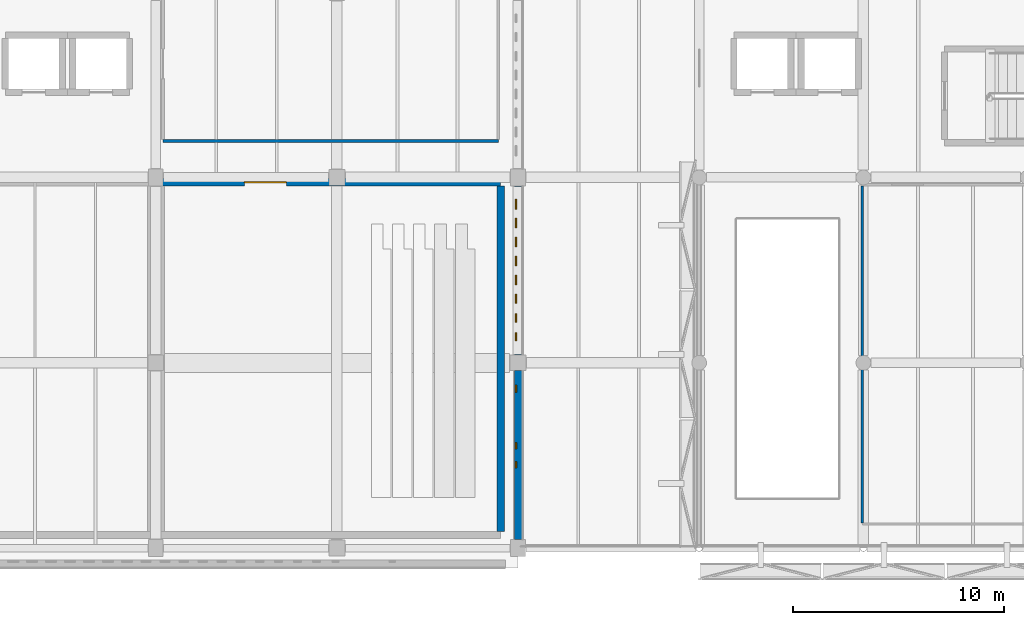
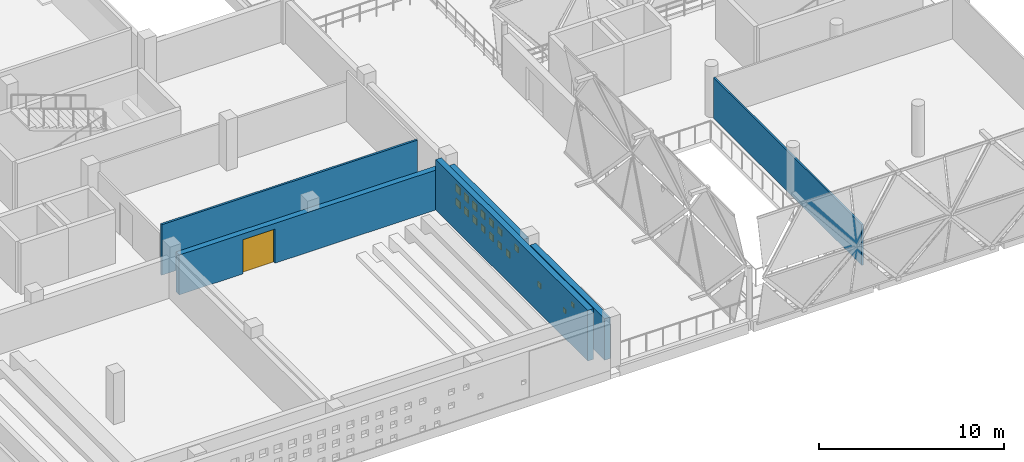
# One storey, part 77 of 93: 17 windows, 6 walls, 1 door, 18 openings.
"""IFC4 building model written with IfcOpenShell, lengths in metres."""

from ifc_helpers import new_model, si_unit, direction, frame, frame_2d, origin, place, context, subcontext, project, spatial, rectangle, extrude, material, layer, layer_set, type_object, element, fill, save


model = new_model("IFC4")

# Units and contexts
model_context = context("Model", 3, precision=1e-05, world=origin(), true_north=direction((0.0, 1.0)))
body_context = subcontext(model_context, "Body", "Model", "MODEL_VIEW")
ifc_project = project(units=[si_unit("LENGTHUNIT", "METRE"), si_unit("AREAUNIT", "SQUARE_METRE"), si_unit("VOLUMEUNIT", "CUBIC_METRE"), si_unit("PLANEANGLEUNIT", "RADIAN"), si_unit("MASSUNIT", "GRAM", prefix="KILO")], contexts=[model_context])

# Site, building, storey
site_placement = place(None, origin())
site = spatial("IfcSite", under=ifc_project, at=site_placement, CompositionType="ELEMENT")
building_placement = place(site_placement, origin())
building = spatial("IfcBuilding", under=site, at=building_placement, Name="Varnakota Cinema and Media Centre", CompositionType="ELEMENT")
storey_placement = place(building_placement, frame((0.0, 0.0, 12.0)))
storey = spatial("IfcBuildingStorey", under=building, at=storey_placement, Name="L03", CompositionType="ELEMENT", Elevation=12.0)

# Wall, openings, windows
ifc_material_1 = material(Name="Pale Tandur limestone cladding", Category="masonry")
ifc_layer_1 = layer(ifc_material_1, 0.360107421875)
ifc_layer_set_1 = layer_set([ifc_layer_1], Name="Pale Tandur limestone cladding")
wall_type_1 = type_object("IfcWallType", Name="W-EXT-TANDUR-360", PredefinedType="SOLIDWALL", material=ifc_layer_set_1)
wall_1_placement = place(storey_placement, frame((43.0, 17.199951171875, 0.0), z_axis=(0.0, 0.0, 1.0), x_axis=(0.0, -1.0, 0.0)))
wall_1 = element("IfcWall", 1, at=wall_1_placement, inside=storey, type_object=wall_type_1, Name="L03 V4 pale Tandur stone monolith wall V4-E-03", PredefinedType="SOLIDWALL", context=body_context, shape_type="SweptSolid", body=[
    extrude(rectangle(XDim=8.02490234375, YDim=0.360107421875, at=frame_2d((4.012451171875, 0.0))), origin(), (0.0, 0.0, 1.0), 2.635009765625),
])
opening_1_placement = place(wall_1_placement, frame((0.632568359375, 0.0, 0.419921875)))
opening_1 = element("IfcOpeningElement", 2, at=opening_1_placement, cuts=wall_1, Name="Opening WP06", PredefinedType="OPENING", context=body_context, shape_type="SweptSolid", body=[
    extrude(rectangle(XDim=0.4599609375, YDim=0.4599609375, at=frame_2d((0.22998046875, 0.22998046875))), frame((0.0, 0.18017578125, 0.0), z_axis=(0.0, -1.0, 0.0), x_axis=(1.0, 0.0, 0.0)), (0.0, 0.0, 1.0), 0.360107421875),
])
opening_2_placement = place(wall_1_placement, frame((0.62255859375, 0.0, 1.320068359375)))
opening_2 = element("IfcOpeningElement", 3, at=opening_2_placement, cuts=wall_1, Name="Opening WP05", PredefinedType="OPENING", context=body_context, shape_type="SweptSolid", body=[
    extrude(rectangle(XDim=0.47998046875, YDim=0.47998046875, at=frame_2d((0.239990234375, 0.239990234375))), frame((0.0, 0.18017578125, 0.0), z_axis=(0.0, -1.0, 0.0), x_axis=(1.0, 0.0, 0.0)), (0.0, 0.0, 1.0), 0.360107421875),
])
opening_3_placement = place(wall_1_placement, frame((1.54248046875, 0.0, 0.419921875)))
opening_3 = element("IfcOpeningElement", 4, at=opening_3_placement, cuts=wall_1, Name="Opening WP07", PredefinedType="OPENING", context=body_context, shape_type="SweptSolid", body=[
    extrude(rectangle(XDim=0.43994140625, YDim=0.43994140625, at=frame_2d((0.219970703125, 0.219970703125))), frame((0.0, 0.18017578125, 0.0), z_axis=(0.0, -1.0, 0.0), x_axis=(1.0, 0.0, 0.0)), (0.0, 0.0, 1.0), 0.360107421875),
])
opening_4_placement = place(wall_1_placement, frame((1.532470703125, 0.0, 1.320068359375)))
opening_4 = element("IfcOpeningElement", 5, at=opening_4_placement, cuts=wall_1, Name="Opening WP06", PredefinedType="OPENING", context=body_context, shape_type="SweptSolid", body=[
    extrude(rectangle(XDim=0.4599609375, YDim=0.4599609375, at=frame_2d((0.22998046875, 0.22998046875))), frame((0.0, 0.18017578125, 0.0), z_axis=(0.0, -1.0, 0.0), x_axis=(1.0, 0.0, 0.0)), (0.0, 0.0, 1.0), 0.360107421875),
])
opening_5_placement = place(wall_1_placement, frame((2.4423828125, 0.0, 0.419921875)))
opening_5 = element("IfcOpeningElement", 6, at=opening_5_placement, cuts=wall_1, Name="Opening WP07", PredefinedType="OPENING", context=body_context, shape_type="SweptSolid", body=[
    extrude(rectangle(XDim=0.43994140625, YDim=0.43994140625, at=frame_2d((0.219970703125, 0.219970703125))), frame((0.0, 0.18017578125, 0.0), z_axis=(0.0, -1.0, 0.0), x_axis=(1.0, 0.0, 0.0)), (0.0, 0.0, 1.0), 0.360107421875),
])
opening_6_placement = place(wall_1_placement, frame((2.4326171875, 0.0, 1.320068359375)))
opening_6 = element("IfcOpeningElement", 7, at=opening_6_placement, cuts=wall_1, Name="Opening WP06", PredefinedType="OPENING", context=body_context, shape_type="SweptSolid", body=[
    extrude(rectangle(XDim=0.4599609375, YDim=0.4599609375, at=frame_2d((0.22998046875, 0.22998046875))), frame((0.0, 0.18017578125, 0.0), z_axis=(0.0, -1.0, 0.0), x_axis=(1.0, 0.0, 0.0)), (0.0, 0.0, 1.0), 0.360107421875),
])
opening_7_placement = place(wall_1_placement, frame((3.3525390625, 0.0, 0.419921875)))
opening_7 = element("IfcOpeningElement", 8, at=opening_7_placement, cuts=wall_1, Name="Opening WP08", PredefinedType="OPENING", context=body_context, shape_type="SweptSolid", body=[
    extrude(rectangle(XDim=0.419921875, YDim=0.419921875, at=frame_2d((0.2099609375, 0.2099609375))), frame((0.0, 0.18017578125, 0.0), z_axis=(0.0, -1.0, 0.0), x_axis=(1.0, 0.0, 0.0)), (0.0, 0.0, 1.0), 0.360107421875),
])
opening_8_placement = place(wall_1_placement, frame((3.342529296875, 0.0, 1.320068359375)))
opening_8 = element("IfcOpeningElement", 9, at=opening_8_placement, cuts=wall_1, Name="Opening WP07", PredefinedType="OPENING", context=body_context, shape_type="SweptSolid", body=[
    extrude(rectangle(XDim=0.43994140625, YDim=0.43994140625, at=frame_2d((0.219970703125, 0.219970703125))), frame((0.0, 0.18017578125, 0.0), z_axis=(0.0, -1.0, 0.0), x_axis=(1.0, 0.0, 0.0)), (0.0, 0.0, 1.0), 0.360107421875),
])
opening_9_placement = place(wall_1_placement, frame((4.25244140625, 0.0, 0.419921875)))
opening_9 = element("IfcOpeningElement", 10, at=opening_9_placement, cuts=wall_1, Name="Opening WP08", PredefinedType="OPENING", context=body_context, shape_type="SweptSolid", body=[
    extrude(rectangle(XDim=0.419921875, YDim=0.419921875, at=frame_2d((0.2099609375, 0.2099609375))), frame((0.0, 0.18017578125, 0.0), z_axis=(0.0, -1.0, 0.0), x_axis=(1.0, 0.0, 0.0)), (0.0, 0.0, 1.0), 0.360107421875),
])
opening_10_placement = place(wall_1_placement, frame((4.242431640625, 0.0, 1.320068359375)))
opening_10 = element("IfcOpeningElement", 11, at=opening_10_placement, cuts=wall_1, Name="Opening WP07", PredefinedType="OPENING", context=body_context, shape_type="SweptSolid", body=[
    extrude(rectangle(XDim=0.43994140625, YDim=0.43994140625, at=frame_2d((0.219970703125, 0.219970703125))), frame((0.0, 0.18017578125, 0.0), z_axis=(0.0, -1.0, 0.0), x_axis=(1.0, 0.0, 0.0)), (0.0, 0.0, 1.0), 0.360107421875),
])
opening_11_placement = place(wall_1_placement, frame((5.16259765625, 0.0, 0.419921875)))
opening_11 = element("IfcOpeningElement", 12, at=opening_11_placement, cuts=wall_1, Name="Opening WP09", PredefinedType="OPENING", context=body_context, shape_type="SweptSolid", body=[
    extrude(rectangle(XDim=0.39990234375, YDim=0.39990234375, at=frame_2d((0.199951171875, 0.199951171875))), frame((0.0, 0.18017578125, 0.0), z_axis=(0.0, -1.0, 0.0), x_axis=(1.0, 0.0, 0.0)), (0.0, 0.0, 1.0), 0.360107421875),
])
opening_12_placement = place(wall_1_placement, frame((5.152587890625, 0.0, 1.320068359375)))
opening_12 = element("IfcOpeningElement", 13, at=opening_12_placement, cuts=wall_1, Name="Opening WP08", PredefinedType="OPENING", context=body_context, shape_type="SweptSolid", body=[
    extrude(rectangle(XDim=0.419921875, YDim=0.419921875, at=frame_2d((0.2099609375, 0.2099609375))), frame((0.0, 0.18017578125, 0.0), z_axis=(0.0, -1.0, 0.0), x_axis=(1.0, 0.0, 0.0)), (0.0, 0.0, 1.0), 0.360107421875),
])
opening_13_placement = place(wall_1_placement, frame((6.0625, 0.0, 0.419921875)))
opening_13 = element("IfcOpeningElement", 14, at=opening_13_placement, cuts=wall_1, Name="Opening WP09", PredefinedType="OPENING", context=body_context, shape_type="SweptSolid", body=[
    extrude(rectangle(XDim=0.39990234375, YDim=0.39990234375, at=frame_2d((0.199951171875, 0.199951171875))), frame((0.0, 0.18017578125, 0.0), z_axis=(0.0, -1.0, 0.0), x_axis=(1.0, 0.0, 0.0)), (0.0, 0.0, 1.0), 0.360107421875),
])
opening_14_placement = place(wall_1_placement, frame((6.972412109375, 0.0, 1.320068359375)))
opening_14 = element("IfcOpeningElement", 15, at=opening_14_placement, cuts=wall_1, Name="Opening WP10", PredefinedType="OPENING", context=body_context, shape_type="SweptSolid", body=[
    extrude(rectangle(XDim=0.3798828125, YDim=0.3798828125, at=frame_2d((0.18994140625, 0.18994140625))), frame((0.0, 0.18017578125, 0.0), z_axis=(0.0, -1.0, 0.0), x_axis=(1.0, 0.0, 0.0)), (0.0, 0.0, 1.0), 0.360107421875),
])
ifc_material_2 = material(Name="Laminated solar-control double glazing", Category="glass")
window_type_1 = type_object("IfcWindowType", Name="WIN-PIERCE-05", PartitioningType="SINGLE_PANEL", PredefinedType="WINDOW", material=ifc_material_2)
window_1_placement = place(opening_2_placement, origin())
window_1 = element("IfcWindow", 16, at=window_1_placement, inside=storey, type_object=window_type_1, Name="L03 window WP05", OverallHeight=0.47998046875, OverallWidth=0.47998046875, PartitioningType="SINGLE_PANEL", PredefinedType="WINDOW", context=body_context, shape_type="SweptSolid", body=[
    extrude(rectangle(XDim=0.47998046875, YDim=0.47998046875, at=frame_2d((0.239990234375, 0.239990234375))), frame((0.0, -0.070068359375, 0.0), z_axis=(0.0, -1.0, 0.0), x_axis=(1.0, 0.0, 0.0)), (0.0, 0.0, 1.0), 0.06005859375),
])
fill(opening_2, window_1)
ifc_material_3 = material(Name="Laminated solar-control double glazing", Category="glass")
window_type_2 = type_object("IfcWindowType", Name="WIN-PIERCE-06", PartitioningType="SINGLE_PANEL", PredefinedType="WINDOW", material=ifc_material_3)
window_2_placement = place(opening_1_placement, origin())
window_2 = element("IfcWindow", 17, at=window_2_placement, inside=storey, type_object=window_type_2, Name="L03 window WP06", OverallHeight=0.4599609375, OverallWidth=0.4599609375, PartitioningType="SINGLE_PANEL", PredefinedType="WINDOW", context=body_context, shape_type="SweptSolid", body=[
    extrude(rectangle(XDim=0.4599609375, YDim=0.4599609375, at=frame_2d((0.22998046875, 0.22998046875))), frame((0.0, -0.070068359375, 0.0), z_axis=(0.0, -1.0, 0.0), x_axis=(1.0, 0.0, 0.0)), (0.0, 0.0, 1.0), 0.06005859375),
])
fill(opening_1, window_2)
window_3_placement = place(opening_4_placement, origin())
window_3 = element("IfcWindow", 18, at=window_3_placement, inside=storey, type_object=window_type_2, Name="L03 window WP06", OverallHeight=0.4599609375, OverallWidth=0.4599609375, PartitioningType="SINGLE_PANEL", PredefinedType="WINDOW", context=body_context, shape_type="SweptSolid", body=[
    extrude(rectangle(XDim=0.4599609375, YDim=0.4599609375, at=frame_2d((0.22998046875, 0.22998046875))), frame((0.0, -0.070068359375, 0.0), z_axis=(0.0, -1.0, 0.0), x_axis=(1.0, 0.0, 0.0)), (0.0, 0.0, 1.0), 0.06005859375),
])
fill(opening_4, window_3)
window_4_placement = place(opening_6_placement, origin())
window_4 = element("IfcWindow", 19, at=window_4_placement, inside=storey, type_object=window_type_2, Name="L03 window WP06", OverallHeight=0.4599609375, OverallWidth=0.4599609375, PartitioningType="SINGLE_PANEL", PredefinedType="WINDOW", context=body_context, shape_type="SweptSolid", body=[
    extrude(rectangle(XDim=0.4599609375, YDim=0.4599609375, at=frame_2d((0.22998046875, 0.22998046875))), frame((0.0, -0.070068359375, 0.0), z_axis=(0.0, -1.0, 0.0), x_axis=(1.0, 0.0, 0.0)), (0.0, 0.0, 1.0), 0.06005859375),
])
fill(opening_6, window_4)
ifc_material_4 = material(Name="Laminated solar-control double glazing", Category="glass")
window_type_3 = type_object("IfcWindowType", Name="WIN-PIERCE-07", PartitioningType="SINGLE_PANEL", PredefinedType="WINDOW", material=ifc_material_4)
window_5_placement = place(opening_3_placement, origin())
window_5 = element("IfcWindow", 20, at=window_5_placement, inside=storey, type_object=window_type_3, Name="L03 window WP07", OverallHeight=0.43994140625, OverallWidth=0.43994140625, PartitioningType="SINGLE_PANEL", PredefinedType="WINDOW", context=body_context, shape_type="SweptSolid", body=[
    extrude(rectangle(XDim=0.43994140625, YDim=0.43994140625, at=frame_2d((0.219970703125, 0.219970703125))), frame((0.0, -0.070068359375, 0.0), z_axis=(0.0, -1.0, 0.0), x_axis=(1.0, 0.0, 0.0)), (0.0, 0.0, 1.0), 0.06005859375),
])
fill(opening_3, window_5)
window_6_placement = place(opening_5_placement, origin())
window_6 = element("IfcWindow", 21, at=window_6_placement, inside=storey, type_object=window_type_3, Name="L03 window WP07", OverallHeight=0.43994140625, OverallWidth=0.43994140625, PartitioningType="SINGLE_PANEL", PredefinedType="WINDOW", context=body_context, shape_type="SweptSolid", body=[
    extrude(rectangle(XDim=0.43994140625, YDim=0.43994140625, at=frame_2d((0.219970703125, 0.219970703125))), frame((0.0, -0.070068359375, 0.0), z_axis=(0.0, -1.0, 0.0), x_axis=(1.0, 0.0, 0.0)), (0.0, 0.0, 1.0), 0.06005859375),
])
fill(opening_5, window_6)
window_7_placement = place(opening_8_placement, origin())
window_7 = element("IfcWindow", 22, at=window_7_placement, inside=storey, type_object=window_type_3, Name="L03 window WP07", OverallHeight=0.43994140625, OverallWidth=0.43994140625, PartitioningType="SINGLE_PANEL", PredefinedType="WINDOW", context=body_context, shape_type="SweptSolid", body=[
    extrude(rectangle(XDim=0.43994140625, YDim=0.43994140625, at=frame_2d((0.219970703125, 0.219970703125))), frame((0.0, -0.070068359375, 0.0), z_axis=(0.0, -1.0, 0.0), x_axis=(1.0, 0.0, 0.0)), (0.0, 0.0, 1.0), 0.06005859375),
])
fill(opening_8, window_7)
window_8_placement = place(opening_10_placement, origin())
window_8 = element("IfcWindow", 23, at=window_8_placement, inside=storey, type_object=window_type_3, Name="L03 window WP07", OverallHeight=0.43994140625, OverallWidth=0.43994140625, PartitioningType="SINGLE_PANEL", PredefinedType="WINDOW", context=body_context, shape_type="SweptSolid", body=[
    extrude(rectangle(XDim=0.43994140625, YDim=0.43994140625, at=frame_2d((0.219970703125, 0.219970703125))), frame((0.0, -0.070068359375, 0.0), z_axis=(0.0, -1.0, 0.0), x_axis=(1.0, 0.0, 0.0)), (0.0, 0.0, 1.0), 0.06005859375),
])
fill(opening_10, window_8)
ifc_material_5 = material(Name="Laminated solar-control double glazing", Category="glass")
window_type_4 = type_object("IfcWindowType", Name="WIN-PIERCE-08", PartitioningType="SINGLE_PANEL", PredefinedType="WINDOW", material=ifc_material_5)
window_9_placement = place(opening_7_placement, origin())
window_9 = element("IfcWindow", 24, at=window_9_placement, inside=storey, type_object=window_type_4, Name="L03 window WP08", OverallHeight=0.419921875, OverallWidth=0.419921875, PartitioningType="SINGLE_PANEL", PredefinedType="WINDOW", context=body_context, shape_type="SweptSolid", body=[
    extrude(rectangle(XDim=0.419921875, YDim=0.419921875, at=frame_2d((0.2099609375, 0.2099609375))), frame((0.0, -0.070068359375, 0.0), z_axis=(0.0, -1.0, 0.0), x_axis=(1.0, 0.0, 0.0)), (0.0, 0.0, 1.0), 0.06005859375),
])
fill(opening_7, window_9)
window_10_placement = place(opening_9_placement, origin())
window_10 = element("IfcWindow", 25, at=window_10_placement, inside=storey, type_object=window_type_4, Name="L03 window WP08", OverallHeight=0.419921875, OverallWidth=0.419921875, PartitioningType="SINGLE_PANEL", PredefinedType="WINDOW", context=body_context, shape_type="SweptSolid", body=[
    extrude(rectangle(XDim=0.419921875, YDim=0.419921875, at=frame_2d((0.2099609375, 0.2099609375))), frame((0.0, -0.070068359375, 0.0), z_axis=(0.0, -1.0, 0.0), x_axis=(1.0, 0.0, 0.0)), (0.0, 0.0, 1.0), 0.06005859375),
])
fill(opening_9, window_10)
window_11_placement = place(opening_12_placement, origin())
window_11 = element("IfcWindow", 26, at=window_11_placement, inside=storey, type_object=window_type_4, Name="L03 window WP08", OverallHeight=0.419921875, OverallWidth=0.419921875, PartitioningType="SINGLE_PANEL", PredefinedType="WINDOW", context=body_context, shape_type="SweptSolid", body=[
    extrude(rectangle(XDim=0.419921875, YDim=0.419921875, at=frame_2d((0.2099609375, 0.2099609375))), frame((0.0, -0.070068359375, 0.0), z_axis=(0.0, -1.0, 0.0), x_axis=(1.0, 0.0, 0.0)), (0.0, 0.0, 1.0), 0.06005859375),
])
fill(opening_12, window_11)
ifc_material_6 = material(Name="Laminated solar-control double glazing", Category="glass")
window_type_5 = type_object("IfcWindowType", Name="WIN-PIERCE-09", PartitioningType="SINGLE_PANEL", PredefinedType="WINDOW", material=ifc_material_6)
window_12_placement = place(opening_11_placement, origin())
window_12 = element("IfcWindow", 27, at=window_12_placement, inside=storey, type_object=window_type_5, Name="L03 window WP09", OverallHeight=0.39990234375, OverallWidth=0.39990234375, PartitioningType="SINGLE_PANEL", PredefinedType="WINDOW", context=body_context, shape_type="SweptSolid", body=[
    extrude(rectangle(XDim=0.39990234375, YDim=0.39990234375, at=frame_2d((0.199951171875, 0.199951171875))), frame((0.0, -0.070068359375, 0.0), z_axis=(0.0, -1.0, 0.0), x_axis=(1.0, 0.0, 0.0)), (0.0, 0.0, 1.0), 0.06005859375),
])
fill(opening_11, window_12)
window_13_placement = place(opening_13_placement, origin())
window_13 = element("IfcWindow", 28, at=window_13_placement, inside=storey, type_object=window_type_5, Name="L03 window WP09", OverallHeight=0.39990234375, OverallWidth=0.39990234375, PartitioningType="SINGLE_PANEL", PredefinedType="WINDOW", context=body_context, shape_type="SweptSolid", body=[
    extrude(rectangle(XDim=0.39990234375, YDim=0.39990234375, at=frame_2d((0.199951171875, 0.199951171875))), frame((0.0, -0.070068359375, 0.0), z_axis=(0.0, -1.0, 0.0), x_axis=(1.0, 0.0, 0.0)), (0.0, 0.0, 1.0), 0.06005859375),
])
fill(opening_13, window_13)
ifc_material_7 = material(Name="Laminated solar-control double glazing", Category="glass")
window_type_6 = type_object("IfcWindowType", Name="WIN-PIERCE-10", PartitioningType="SINGLE_PANEL", PredefinedType="WINDOW", material=ifc_material_7)
window_14_placement = place(opening_14_placement, origin())
window_14 = element("IfcWindow", 29, at=window_14_placement, inside=storey, type_object=window_type_6, Name="L03 window WP10", OverallHeight=0.3798828125, OverallWidth=0.3798828125, PartitioningType="SINGLE_PANEL", PredefinedType="WINDOW", context=body_context, shape_type="SweptSolid", body=[
    extrude(rectangle(XDim=0.3798828125, YDim=0.3798828125, at=frame_2d((0.18994140625, 0.18994140625))), frame((0.0, -0.070068359375, 0.0), z_axis=(0.0, -1.0, 0.0), x_axis=(1.0, 0.0, 0.0)), (0.0, 0.0, 1.0), 0.06005859375),
])
fill(opening_14, window_14)

wall_2_placement = place(storey_placement, frame((43.0, 8.425048828125, 0.0), z_axis=(0.0, 0.0, 1.0), x_axis=(0.0, -1.0, 0.0)))
wall_2 = element("IfcWall", 30, at=wall_2_placement, inside=storey, type_object=wall_type_1, Name="L03 V4 pale Tandur stone monolith wall V4-E-04", PredefinedType="SOLIDWALL", context=body_context, shape_type="SweptSolid", body=[
    extrude(rectangle(XDim=8.025146484375, YDim=0.360107421875, at=frame_2d((4.0126953125, 0.0))), origin(), (0.0, 0.0, 1.0), 2.735107421875),
])
opening_15_placement = place(wall_2_placement, frame((0.6923828125, 0.0, 0.419921875)))
opening_15 = element("IfcOpeningElement", 31, at=opening_15_placement, cuts=wall_2, Name="Opening WP12", PredefinedType="OPENING", context=body_context, shape_type="SweptSolid", body=[
    extrude(rectangle(XDim=0.340087890625, YDim=0.340087890625, at=frame_2d((0.169921875, 0.169921875))), frame((0.0, 0.18017578125, 0.0), z_axis=(0.0, -1.0, 0.0), x_axis=(1.0, 0.0, 0.0)), (0.0, 0.0, 1.0), 0.360107421875),
])
opening_16_placement = place(wall_2_placement, frame((3.422607421875, 0.0, 0.419921875)))
opening_16 = element("IfcOpeningElement", 32, at=opening_16_placement, cuts=wall_2, Name="Opening WP15", PredefinedType="OPENING", context=body_context, shape_type="SweptSolid", body=[
    extrude(rectangle(XDim=0.280029296875, YDim=0.280029296875, at=frame_2d((0.14013671875, 0.14013671875))), frame((0.0, 0.18017578125, 0.0), z_axis=(0.0, -1.0, 0.0), x_axis=(1.0, 0.0, 0.0)), (0.0, 0.0, 1.0), 0.360107421875),
])
opening_17_placement = place(wall_2_placement, frame((4.322509765625, 0.0, 1.320068359375)))
opening_17 = element("IfcOpeningElement", 33, at=opening_17_placement, cuts=wall_2, Name="Opening WP15", PredefinedType="OPENING", context=body_context, shape_type="SweptSolid", body=[
    extrude(rectangle(XDim=0.280029296875, YDim=0.280029296875, at=frame_2d((0.14013671875, 0.14013671875))), frame((0.0, 0.18017578125, 0.0), z_axis=(0.0, -1.0, 0.0), x_axis=(1.0, 0.0, 0.0)), (0.0, 0.0, 1.0), 0.360107421875),
])
ifc_material_8 = material(Name="Laminated solar-control double glazing", Category="glass")
window_type_7 = type_object("IfcWindowType", Name="WIN-PIERCE-12", PartitioningType="SINGLE_PANEL", PredefinedType="WINDOW", material=ifc_material_8)
window_15_placement = place(opening_15_placement, origin())
window_15 = element("IfcWindow", 34, at=window_15_placement, inside=storey, type_object=window_type_7, Name="L03 window WP12", OverallHeight=0.340087890625, OverallWidth=0.340087890625, PartitioningType="SINGLE_PANEL", PredefinedType="WINDOW", context=body_context, shape_type="SweptSolid", body=[
    extrude(rectangle(XDim=0.340087890625, YDim=0.340087890625, at=frame_2d((0.169921875, 0.169921875))), frame((0.0, -0.070068359375, 0.0), z_axis=(0.0, -1.0, 0.0), x_axis=(1.0, 0.0, 0.0)), (0.0, 0.0, 1.0), 0.06005859375),
])
fill(opening_15, window_15)
ifc_material_9 = material(Name="Laminated solar-control double glazing", Category="glass")
window_type_8 = type_object("IfcWindowType", Name="WIN-PIERCE-15", PartitioningType="SINGLE_PANEL", PredefinedType="WINDOW", material=ifc_material_9)
window_16_placement = place(opening_16_placement, origin())
window_16 = element("IfcWindow", 35, at=window_16_placement, inside=storey, type_object=window_type_8, Name="L03 window WP15", OverallHeight=0.280029296875, OverallWidth=0.280029296875, PartitioningType="SINGLE_PANEL", PredefinedType="WINDOW", context=body_context, shape_type="SweptSolid", body=[
    extrude(rectangle(XDim=0.280029296875, YDim=0.280029296875, at=frame_2d((0.14013671875, 0.14013671875))), frame((0.0, -0.070068359375, 0.0), z_axis=(0.0, -1.0, 0.0), x_axis=(1.0, 0.0, 0.0)), (0.0, 0.0, 1.0), 0.06005859375),
])
fill(opening_16, window_16)
window_17_placement = place(opening_17_placement, origin())
window_17 = element("IfcWindow", 36, at=window_17_placement, inside=storey, type_object=window_type_8, Name="L03 window WP15", OverallHeight=0.280029296875, OverallWidth=0.280029296875, PartitioningType="SINGLE_PANEL", PredefinedType="WINDOW", context=body_context, shape_type="SweptSolid", body=[
    extrude(rectangle(XDim=0.280029296875, YDim=0.280029296875, at=frame_2d((0.14013671875, 0.14013671875))), frame((0.0, -0.070068359375, 0.0), z_axis=(0.0, -1.0, 0.0), x_axis=(1.0, 0.0, 0.0)), (0.0, 0.0, 1.0), 0.06005859375),
])
fill(opening_17, window_17)

# Walls
ifc_material_10 = material(Name="Autoclaved aerated concrete blockwork", Category="masonry")
ifc_layer_2 = layer(ifc_material_10, 0.110107421875)
ifc_layer_set_2 = layer_set([ifc_layer_2], Name="Autoclaved aerated concrete blockwork")
wall_type_2 = type_object("IfcWallType", Name="W-PART-110", PredefinedType="PARTITIONING", material=ifc_layer_set_2)
wall_3_placement = place(storey_placement, frame((59.344970703125, 1.199951171875, 0.0), z_axis=(0.0, 0.0, 1.0), x_axis=(0.0, 1.0, 0.0)))
element("IfcWall", 37, at=wall_3_placement, inside=storey, type_object=wall_type_2, Name="L03 RWALL-RM-L03-LIB2 W wall", PredefinedType="PARTITIONING", context=body_context, shape_type="SweptSolid", body=[
    extrude(rectangle(XDim=16.0, YDim=0.110107421875, at=frame_2d((8.0, 0.0))), origin(), (0.0, 0.0, 1.0), 2.679931640625),
])
ifc_material_11 = material(Name="Autoclaved aerated concrete blockwork", Category="masonry")
ifc_layer_3 = layer(ifc_material_11, 0.1298828125)
ifc_layer_set_3 = layer_set([ifc_layer_3], Name="Autoclaved aerated concrete blockwork")
wall_type_3 = type_object("IfcWallType", Name="W-PART-130", PredefinedType="PARTITIONING", material=ifc_layer_set_3)
wall_4_placement = place(storey_placement, frame((42.06494140625, 19.3349609375, 0.0), z_axis=(0.0, 0.0, 1.0), x_axis=(-1.0, 0.0, 0.0)))
element("IfcWall", 38, at=wall_4_placement, inside=storey, type_object=wall_type_3, Name="L03 RWALL-RM-L03-SYMP S wall", PredefinedType="PARTITIONING", context=body_context, shape_type="SweptSolid", body=[
    extrude(rectangle(XDim=15.929931640625, YDim=0.1298828125, at=frame_2d((7.96484375, 0.0))), origin(), (0.0, 0.0, 1.0), 3.330078125),
])

# Wall, opening, door
ifc_material_12 = material(Name="Concrete M40", Category="concrete")
ifc_layer_4 = layer(ifc_material_12, 0.35009765625)
ifc_layer_set_4 = layer_set([ifc_layer_4], Name="Concrete M40")
wall_type_4 = type_object("IfcWallType", Name="W-SEP-350", PredefinedType="SOLIDWALL", material=ifc_layer_set_4)
wall_5_placement = place(storey_placement, frame((26.02490234375, 17.375, 0.0), z_axis=(0.0, 0.0, 1.0), x_axis=(1.0, 0.0, 0.0)))
wall_5 = element("IfcWall", 39, at=wall_5_placement, inside=storey, type_object=wall_type_4, Name="L03 RWALL-RM-L03-SCR5 N wall", PredefinedType="SOLIDWALL", context=body_context, shape_type="SweptSolid", body=[
    extrude(rectangle(XDim=16.150146484375, YDim=0.35009765625, at=frame_2d((8.0751953125, 0.0))), origin(), (0.0, 0.0, 1.0), 2.6298828125),
])
opening_18_placement = place(wall_5_placement, frame((3.97509765625, 0.0, 0.0)))
opening_18 = element("IfcOpeningElement", 40, at=opening_18_placement, cuts=wall_5, Name="Opening D-090", PredefinedType="OPENING", context=body_context, shape_type="SweptSolid", body=[
    extrude(rectangle(XDim=2.0, YDim=2.25, at=frame_2d((1.0, 1.125))), frame((0.0, 0.175048828125, 0.0), z_axis=(0.0, -1.0, 0.0), x_axis=(1.0, 0.0, 0.0)), (0.0, 0.0, 1.0), 0.35009765625),
])
ifc_material_13 = material(Name="Thermally broken anodised aluminium AW-6063", Category="aluminium")
door_type = type_object("IfcDoorType", Name="DR-AUD-2000x2250", OperationType="DOUBLE_DOOR_SINGLE_SWING", PredefinedType="DOOR", material=ifc_material_13)
door_placement = place(opening_18_placement, origin())
door = element("IfcDoor", 41, at=door_placement, inside=storey, type_object=door_type, Name="L03 door D-090", OperationType="DOUBLE_DOOR_SINGLE_SWING", OverallHeight=2.25, OverallWidth=2.0, PredefinedType="DOOR", context=body_context, shape_type="SweptSolid", body=[
    extrude(rectangle(XDim=2.0, YDim=2.25, at=frame_2d((1.0, 1.125))), frame((0.0, 0.02490234375, 0.0), z_axis=(0.0, -1.0, 0.0), x_axis=(1.0, 0.0, 0.0)), (0.0, 0.0, 1.0), 0.050048828125),
])
fill(opening_18, door)

# Wall
wall_6_placement = place(storey_placement, frame((42.175048828125, 17.199951171875, 0.0), z_axis=(0.0, 0.0, 1.0), x_axis=(0.0, -1.0, 0.0)))
element("IfcWall", 42, at=wall_6_placement, inside=storey, type_object=wall_type_4, Name="L03 RWALL-RM-L03-SCR5 E wall", PredefinedType="SOLIDWALL", context=body_context, shape_type="SweptSolid", body=[
    extrude(rectangle(XDim=16.39990234375, YDim=0.35009765625, at=frame_2d((8.199951171875, 0.0))), origin(), (0.0, 0.0, 1.0), 3.330078125),
])

save(model, "model.ifc")
